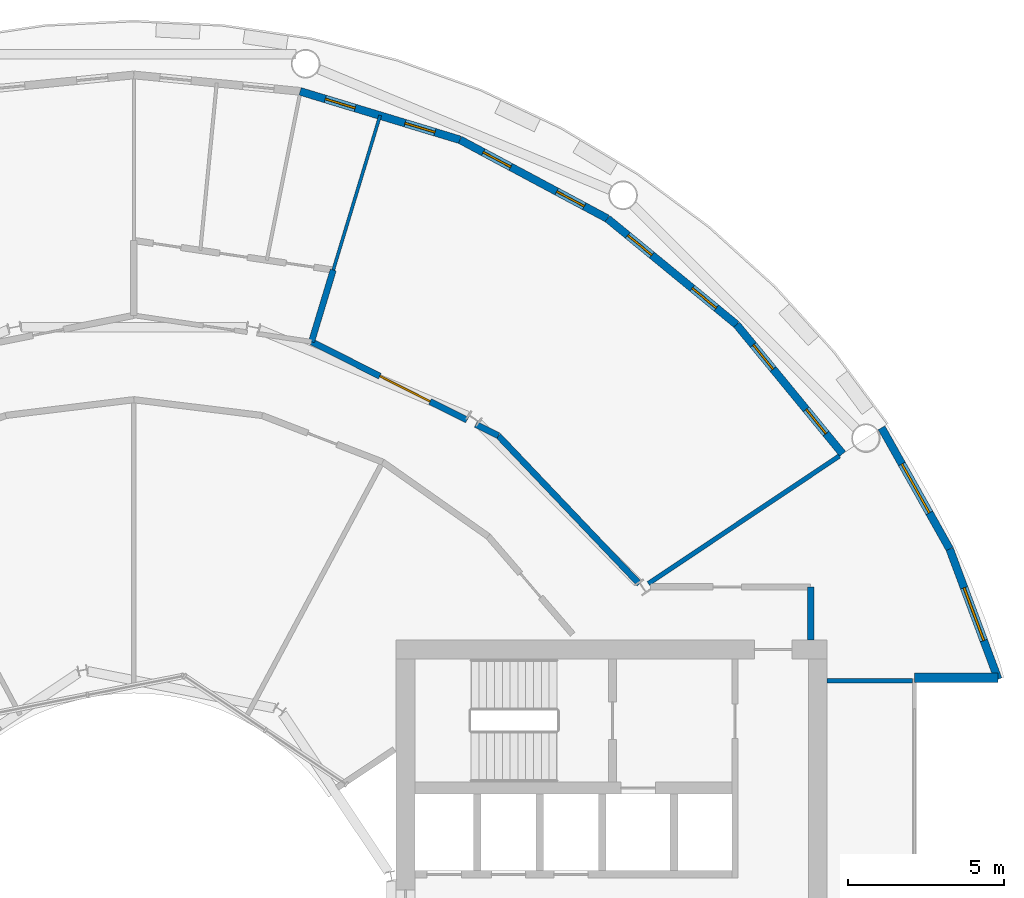
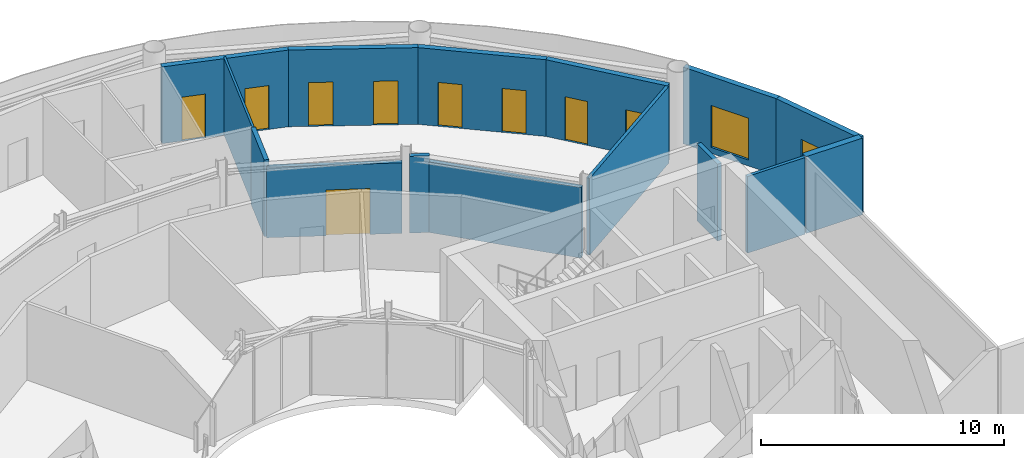
# One storey, part 18 of 21: 15 walls, 9 doors, 2 windows, 11 openings.
"""IFC4 building model written with IfcOpenShell, lengths in metres."""

import ifcopenshell
import ifcopenshell.guid

model = None  # the IFC model being written
_history = None  # IfcOwnerHistory: only IFC2X3 demands one
_inside = {}  # id of a spatial element -> (the spatial element, [elements in it])
_under = {}  # id of a project, library or spatial element -> (it, [spatial elements below it])
_declared = {}  # id of a project -> (the project, [libraries it declares])
_typed = {}  # id of a type object -> (the type object, [elements of that type])
_made_of = {}  # id of a material, layer set ... -> (it, [elements and type objects made of it])


def new_model(schema):
    """Start an empty IFC model of exactly this schema.

    Asked for "IFC4X3", IfcOpenShell would pick the latest addendum, in which some entities
    have other attributes; the version numbers below select the first issue.
    IFC2X3 requires an IfcOwnerHistory on every rooted entity: one is made here for all.
    """
    global model, _history
    if schema == "IFC4X3":
        model = ifcopenshell.file(schema_version=(4, 3, 0, 0))
    else:
        model = ifcopenshell.file(schema=schema)
    _inside.clear()
    _under.clear()
    _declared.clear()
    _typed.clear()
    _made_of.clear()
    _history = None
    if model.schema == "IFC2X3":
        org = make("IfcOrganization", Name="unknown")
        user = make(
            "IfcPersonAndOrganization",
            ThePerson=make("IfcPerson", FamilyName="unknown"),
            TheOrganization=org,
        )
        app = make(
            "IfcApplication",
            ApplicationDeveloper=org,
            Version="unknown",
            ApplicationFullName="unknown",
            ApplicationIdentifier="unknown",
        )
        _history = make(
            "IfcOwnerHistory",
            OwningUser=user,
            OwningApplication=app,
            ChangeAction="ADDED",
            CreationDate=0,
        )
    return model


def make(cls, **values):
    """One entity of the class cls with the attributes given. An attribute that is None is left unset."""
    return model.create_entity(
        cls, **{name: value for name, value in values.items() if value is not None}
    )


def rooted(cls, **values):
    """An entity with a GlobalId (a new one), such as an element, a storey or a relation."""
    return make(cls, GlobalId=ifcopenshell.guid.new(), OwnerHistory=_history, **values)


def si_unit(unit_type, name, prefix=None):
    """IfcSIUnit, for example si_unit("LENGTHUNIT", "METRE", prefix="MILLI")."""
    return make("IfcSIUnit", UnitType=unit_type, Prefix=prefix, Name=name)


def assignment(units):
    """IfcUnitAssignment: the units of a project."""
    return None if units is None else make("IfcUnitAssignment", Units=units)


def point(xyz):
    """IfcCartesianPoint."""
    return None if xyz is None else make("IfcCartesianPoint", Coordinates=xyz)


def direction(xyz):
    """IfcDirection."""
    return None if xyz is None else make("IfcDirection", DirectionRatios=xyz)


def frame(location, z_axis=None, x_axis=None):
    """IfcAxis2Placement3D, a coordinate frame: its origin and axes. An axis left out is left unset."""
    return make(
        "IfcAxis2Placement3D",
        Location=point(location),
        Axis=direction(z_axis),
        RefDirection=direction(x_axis),
    )


def frame_2d(location, x_axis=None):
    """IfcAxis2Placement2D, a coordinate frame in the plane: its origin and x axis."""
    return make(
        "IfcAxis2Placement2D", Location=point(location), RefDirection=direction(x_axis)
    )


def origin():
    """The frame at (0, 0, 0) with its axes left unset."""
    return frame((0.0, 0.0, 0.0))


def place(relative_to, where):
    """IfcLocalPlacement: puts the frame where relative to a parent placement (None: the world)."""
    return make(
        "IfcLocalPlacement", PlacementRelTo=relative_to, RelativePlacement=where
    )


def context(
    kind, dimensions, precision=None, world=None, true_north=None, identifier=None
):
    """IfcGeometricRepresentationContext, for example the 3D "Model" context."""
    return make(
        "IfcGeometricRepresentationContext",
        ContextIdentifier=identifier,
        ContextType=kind,
        CoordinateSpaceDimension=dimensions,
        Precision=precision,
        WorldCoordinateSystem=world,
        TrueNorth=true_north,
    )


def subcontext(parent, identifier, kind, view, scale=None):
    """IfcGeometricRepresentationSubContext, for example "Body" below "Model"."""
    return make(
        "IfcGeometricRepresentationSubContext",
        ContextIdentifier=identifier,
        ContextType=kind,
        ParentContext=parent,
        TargetScale=scale,
        TargetView=view,
    )


def project(units=None, contexts=None):
    """IfcProject with its units and contexts."""
    return rooted(
        "IfcProject",
        Name="project",
        RepresentationContexts=contexts,
        UnitsInContext=assignment(units),
    )


def spatial(cls, under=None, at=None, **own):
    """A site, building, storey or space (cls), placed at a placement, below another one or the project."""
    s = rooted(cls, ObjectPlacement=at, **own)
    if under is not None:
        _under.setdefault(under.id(), (under, []))[1].append(s)
    return s


def profile(cls, at=None, kind="AREA", **sizes):
    """A parametric profile (cls). Its sizes go by their IFC names, for example OverallWidth=200.0."""
    return make(cls, ProfileType=kind, Position=at, **sizes)


def rectangle(**sizes):
    """IfcRectangleProfileDef."""
    return profile("IfcRectangleProfileDef", **sizes)


def extrude(swept, where, along, depth):
    """IfcExtrudedAreaSolid: the profile swept, set in the frame where, extruded along a direction by depth."""
    return make(
        "IfcExtrudedAreaSolid",
        SweptArea=swept,
        Position=where,
        ExtrudedDirection=direction(along),
        Depth=depth,
    )


def shape(context_of_items, identifier, shape_type, items):
    """IfcShapeRepresentation: the items that make up one representation, for example the "Body"."""
    return make(
        "IfcShapeRepresentation",
        ContextOfItems=context_of_items,
        RepresentationIdentifier=identifier,
        RepresentationType=shape_type,
        Items=items,
    )


def material(Name=None, Category=None):
    """IfcMaterial."""
    return make("IfcMaterial", Name=Name, Category=Category)


def layer(
    of_material, thickness, ventilated=None, Name=None, Category=None, Priority=None
):
    """IfcMaterialLayer: one layer of a wall or slab, of a material (None: an air gap)."""
    return make(
        "IfcMaterialLayer",
        Material=of_material,
        LayerThickness=thickness,
        IsVentilated=ventilated,
        Name=Name,
        Category=Category,
        Priority=Priority,
    )


def layer_set(layers, Name=None):
    """IfcMaterialLayerSet."""
    return make("IfcMaterialLayerSet", MaterialLayers=layers, LayerSetName=Name)


def made_of(thing, what):
    """Note that an element or type object is made of a material, layer set ...; save() writes the relation."""
    if what is not None:
        _made_of.setdefault(what.id(), (what, []))[1].append(thing)
    return thing


def type_object(cls, material=None, **own):
    """A type object (cls), such as IfcWallType, which elements share."""
    return made_of(rooted(cls, **own), material)


def element(
    cls,
    number,
    at=None,
    inside=None,
    cuts=None,
    type_object=None,
    material=None,
    context=None,
    identifier="Body",
    shape_type=None,
    held_by="IfcProductDefinitionShape",
    body=None,
    shapes=None,
    **own,
):
    """One element of the class cls, such as IfcWall. Its Tag is "e" and its number.

    at: its placement. inside: the storey or other place that contains it. cuts: it is an
    opening in that element (IfcRelVoidsElement). A single representation is given by context,
    identifier, shape_type and body (its items); several are given by shapes. held_by: the class
    of the entity that holds the representations. save() writes the other relations.
    """
    e = rooted(cls, Tag="e%d" % number, ObjectPlacement=at, **own)
    if body is not None:
        shapes = [shape(context, identifier, shape_type, body)]
    if shapes is not None:
        e.Representation = make(held_by, Representations=shapes)
    if inside is not None:
        _inside.setdefault(inside.id(), (inside, []))[1].append(e)
    if cuts is not None:
        rooted(
            "IfcRelVoidsElement", RelatingBuildingElement=cuts, RelatedOpeningElement=e
        )
    if type_object is not None:
        _typed.setdefault(type_object.id(), (type_object, []))[1].append(e)
    return made_of(e, material)


def fill(opening, filler):
    """IfcRelFillsElement: the door or window that sits in an opening."""
    return rooted(
        "IfcRelFillsElement",
        RelatingOpeningElement=opening,
        RelatedBuildingElement=filler,
    )


def aggregate(whole, parts):
    """IfcRelAggregates: a whole, such as a stair, and the parts it consists of."""
    return rooted("IfcRelAggregates", RelatingObject=whole, RelatedObjects=parts)


def save(model, path):
    """Write the relations noted so far, then the file.

    IfcRelAggregates (storeys below a building ...), IfcRelContainedInSpatialStructure (elements
    in a storey), IfcRelDefinesByType, IfcRelAssociatesMaterial and IfcRelDeclares: one each for
    every whole, place, type object, material and project.
    """
    for whole, parts in _under.values():
        aggregate(whole, parts)
    for where, things in _inside.values():
        rooted(
            "IfcRelContainedInSpatialStructure",
            RelatedElements=things,
            RelatingStructure=where,
        )
    for kind, things in _typed.values():
        rooted("IfcRelDefinesByType", RelatedObjects=things, RelatingType=kind)
    for what, things in _made_of.values():
        rooted("IfcRelAssociatesMaterial", RelatedObjects=things, RelatingMaterial=what)
    for by, libraries in _declared.values():
        rooted("IfcRelDeclares", RelatingContext=by, RelatedDefinitions=libraries)
    model.write(path)


model = new_model("IFC4")

# Units and contexts
model_context = context("Model", 3, precision=1e-05, world=origin(), true_north=direction((0.0, 1.0)))
body_context = subcontext(model_context, "Body", "Model", "MODEL_VIEW")
ifc_project = project(units=[si_unit("LENGTHUNIT", "METRE"), si_unit("AREAUNIT", "SQUARE_METRE"), si_unit("VOLUMEUNIT", "CUBIC_METRE"), si_unit("PLANEANGLEUNIT", "RADIAN"), si_unit("MASSUNIT", "GRAM", prefix="KILO")], contexts=[model_context])

# Site, building, storey
site_placement = place(None, origin())
site = spatial("IfcSite", under=ifc_project, at=site_placement, CompositionType="ELEMENT")
building_placement = place(site_placement, origin())
building = spatial("IfcBuilding", under=site, at=building_placement, Name="Maasbend Ring Residences", CompositionType="ELEMENT")
storey_placement = place(building_placement, frame((0.0, 0.0, 107.449951171875)))
storey = spatial("IfcBuildingStorey", under=building, at=storey_placement, Name="L30", CompositionType="ELEMENT", Elevation=107.449951171875)

# Walls
ifc_material_1 = material(Name="Concrete C30/37", Category="concrete")
ifc_layer_1 = layer(ifc_material_1, 0.199951171875)
ifc_layer_set_1 = layer_set([ifc_layer_1], Name="Concrete C30/37")
wall_type_1 = type_object("IfcWallType", Name="CORRIDOR WALL 200 CONCRETE", PredefinedType="PARTITIONING", material=ifc_layer_set_1)
wall_1_placement = place(storey_placement, frame((21.675048828125, 9.199951171875, 0.0), z_axis=(0.0, 0.0, 1.0), x_axis=(0.0, 1.0, 0.0)))
element("IfcWall", 1, at=wall_1_placement, inside=storey, type_object=wall_type_1, Name="U-L30-w003", PredefinedType="PARTITIONING", context=body_context, shape_type="SweptSolid", body=[
    extrude(rectangle(XDim=1.699951171875, YDim=0.199951171875, at=frame_2d((0.85009765625, 0.0))), origin(), (0.0, 0.0, 1.0), 3.85009765625),
])
wall_2_placement = place(storey_placement, frame((5.68994140625, 18.756103515625, 0.0), z_axis=(0.0, 0.0, 1.0), x_axis=(0.290015865164, 0.957021837762, 0.0)))
element("IfcWall", 2, at=wall_2_placement, inside=storey, type_object=wall_type_1, Name="U-L30-w041", PredefinedType="PARTITIONING", context=body_context, shape_type="SweptSolid", body=[
    extrude(rectangle(XDim=2.39990234375, YDim=0.199951171875, at=frame_2d((1.199951171875, 0.0))), origin(), (0.0, 0.0, 1.0), 3.85009765625),
])

# Wall, opening, door
wall_3_placement = place(storey_placement, frame((5.68994140625, 18.756103515625, 0.0), z_axis=(0.0, 0.0, 1.0), x_axis=(0.893207084241, -0.449645532239, 0.0)))
wall_3 = element("IfcWall", 3, at=wall_3_placement, inside=storey, type_object=wall_type_1, Name="U-L30-w059", PredefinedType="PARTITIONING", context=body_context, shape_type="SweptSolid", body=[
    extrude(rectangle(XDim=5.577880859375, YDim=0.199951171875, at=frame_2d((2.7890625, 0.0))), origin(), (0.0, 0.0, 1.0), 3.5400390625),
])
opening_1_placement = place(wall_3_placement, frame((2.450927734375, 0.0, 0.0)))
opening_1 = element("IfcOpeningElement", 4, at=opening_1_placement, cuts=wall_3, Name="Opening D-3009", PredefinedType="OPENING", context=body_context, shape_type="SweptSolid", body=[
    extrude(rectangle(XDim=1.800048828125, YDim=2.300048828125, at=frame_2d((0.89990234375, 1.14990234375))), frame((0.0, 0.10986328125, 0.0), z_axis=(0.0, -1.0, 0.0), x_axis=(1.0, 0.0, 0.0)), (0.0, 0.0, 1.0), 0.219970703125),
])
ifc_material_2 = material(Name="Timber, painted", Category="wood")
door_type_1 = type_object("IfcDoorType", Name="DOUBLE DOOR 1800 X 2300", OperationType="NOTDEFINED", PredefinedType="DOOR", material=ifc_material_2)
door_1_placement = place(opening_1_placement, origin())
door_1 = element("IfcDoor", 5, at=door_1_placement, inside=storey, type_object=door_type_1, Name="D-3009", OperationType="DOUBLE_DOOR_SINGLE_SWING", OverallHeight=2.300048828125, OverallWidth=1.800048828125, PredefinedType="DOOR", context=body_context, shape_type="SweptSolid", body=[
    extrude(rectangle(XDim=1.800048828125, YDim=2.300048828125, at=frame_2d((0.89990234375, 1.14990234375))), frame((0.0, 0.02490234375, 0.0), z_axis=(0.0, -1.0, 0.0), x_axis=(1.0, 0.0, 0.0)), (0.0, 0.0, 1.0), 0.050048828125),
])
fill(opening_1, door_1)

# Walls
wall_4_placement = place(storey_placement, frame((10.947998046875, 16.10888671875, 0.0), z_axis=(0.0, 0.0, 1.0), x_axis=(0.893466351981, -0.449130134681, 0.0)))
element("IfcWall", 6, at=wall_4_placement, inside=storey, type_object=wall_type_1, Name="U-L30-w060", PredefinedType="PARTITIONING", context=body_context, shape_type="SweptSolid", body=[
    extrude(rectangle(XDim=0.81494140625, YDim=0.199951171875, at=frame_2d((0.407470703125, 0.0))), origin(), (0.0, 0.0, 1.0), 3.85009765625),
])
wall_5_placement = place(storey_placement, frame((11.676025390625, 15.742919921875, 0.0), z_axis=(0.0, 0.0, 1.0), x_axis=(0.689473533908, -0.724310876655, 0.0)))
element("IfcWall", 7, at=wall_5_placement, inside=storey, type_object=wall_type_1, Name="U-L30-w061", PredefinedType="PARTITIONING", context=body_context, shape_type="SweptSolid", body=[
    extrude(rectangle(XDim=6.54541015625, YDim=0.199951171875, at=frame_2d((3.272705078125, 0.0))), origin(), (0.0, 0.0, 1.0), 3.5400390625),
])

# Wall, openings, doors
ifc_material_3 = material(Name="Aluminium clad insulated panel", Category="aluminium")
ifc_layer_2 = layer(ifc_material_3, 0.25)
ifc_layer_set_2 = layer_set([ifc_layer_2], Name="EW-GL")
wall_type_2 = type_object("IfcWallType", Name="EW-GL", PredefinedType="SOLIDWALL", material=ifc_layer_set_2)
wall_6_placement = place(storey_placement, frame((22.698974609375, 15.1669921875, 0.0), z_axis=(0.0, 0.0, 1.0), x_axis=(-0.634382322723, 0.773019449054, 0.0)))
wall_6 = element("IfcWall", 8, at=wall_6_placement, inside=storey, type_object=wall_type_2, Name="External wall N01", PredefinedType="SOLIDWALL", context=body_context, shape_type="SweptSolid", body=[
    extrude(rectangle(XDim=5.351806640625, YDim=0.25, at=frame_2d((2.67578125, 0.0))), origin(), (0.0, 0.0, 1.0), 3.85009765625),
])
opening_2_placement = place(wall_6_placement, frame((0.841064453125, 0.0, 0.0)))
opening_2 = element("IfcOpeningElement", 9, at=opening_2_placement, cuts=wall_6, Name="Opening D-LG", PredefinedType="OPENING", context=body_context, shape_type="SweptSolid", body=[
    extrude(rectangle(XDim=1.0, YDim=2.199951171875, at=frame_2d((0.5, 1.10009765625))), frame((0.0, 0.135009765625, 0.0), z_axis=(0.0, -1.0, 0.0), x_axis=(1.0, 0.0, 0.0)), (0.0, 0.0, 1.0), 0.27001953125),
])
opening_3_placement = place(wall_6_placement, frame((3.510498046875, 0.0, 0.0)))
opening_3 = element("IfcOpeningElement", 10, at=opening_3_placement, cuts=wall_6, Name="Opening D-LG", PredefinedType="OPENING", context=body_context, shape_type="SweptSolid", body=[
    extrude(rectangle(XDim=1.0, YDim=2.199951171875, at=frame_2d((0.5, 1.10009765625))), frame((0.0, 0.135009765625, 0.0), z_axis=(0.0, -1.0, 0.0), x_axis=(1.0, 0.0, 0.0)), (0.0, 0.0, 1.0), 0.27001953125),
])
ifc_material_4 = material(Name="Aluminium and clear glass", Category="aluminium")
door_type_2 = type_object("IfcDoorType", Name="D-LG", OperationType="SINGLE_SWING_LEFT", PredefinedType="DOOR", material=ifc_material_4)
door_2_placement = place(opening_2_placement, origin())
door_2 = element("IfcDoor", 11, at=door_2_placement, inside=storey, type_object=door_type_2, Name="Loggia door N01", OperationType="SINGLE_SWING_LEFT", OverallHeight=2.199951171875, OverallWidth=1.0, PredefinedType="DOOR", context=body_context, shape_type="SweptSolid", body=[
    extrude(rectangle(XDim=1.0, YDim=2.199951171875, at=frame_2d((0.5, 1.10009765625))), frame((0.0, 0.02490234375, 0.0), z_axis=(0.0, -1.0, 0.0), x_axis=(1.0, 0.0, 0.0)), (0.0, 0.0, 1.0), 0.050048828125),
])
fill(opening_2, door_2)
door_3_placement = place(opening_3_placement, origin())
door_3 = element("IfcDoor", 12, at=door_3_placement, inside=storey, type_object=door_type_2, Name="Loggia door N02", OperationType="SINGLE_SWING_LEFT", OverallHeight=2.199951171875, OverallWidth=1.0, PredefinedType="DOOR", context=body_context, shape_type="SweptSolid", body=[
    extrude(rectangle(XDim=1.0, YDim=2.199951171875, at=frame_2d((0.5, 1.10009765625))), frame((0.0, 0.02490234375, 0.0), z_axis=(0.0, -1.0, 0.0), x_axis=(1.0, 0.0, 0.0)), (0.0, 0.0, 1.0), 0.050048828125),
])
fill(opening_3, door_3)

wall_7_placement = place(storey_placement, frame((19.303955078125, 19.303955078125, 0.0), z_axis=(0.0, 0.0, 1.0), x_axis=(-0.773019449054, 0.634382322723, 0.0)))
wall_7 = element("IfcWall", 13, at=wall_7_placement, inside=storey, type_object=wall_type_2, Name="External wall N02", PredefinedType="SOLIDWALL", context=body_context, shape_type="SweptSolid", body=[
    extrude(rectangle(XDim=5.351806640625, YDim=0.25, at=frame_2d((2.67578125, 0.0))), origin(), (0.0, 0.0, 1.0), 3.85009765625),
])
opening_4_placement = place(wall_7_placement, frame((0.841064453125, 0.0, 0.0)))
opening_4 = element("IfcOpeningElement", 14, at=opening_4_placement, cuts=wall_7, Name="Opening D-LG", PredefinedType="OPENING", context=body_context, shape_type="SweptSolid", body=[
    extrude(rectangle(XDim=1.0, YDim=2.199951171875, at=frame_2d((0.5, 1.10009765625))), frame((0.0, 0.135009765625, 0.0), z_axis=(0.0, -1.0, 0.0), x_axis=(1.0, 0.0, 0.0)), (0.0, 0.0, 1.0), 0.27001953125),
])
opening_5_placement = place(wall_7_placement, frame((3.510498046875, 0.0, 0.0)))
opening_5 = element("IfcOpeningElement", 15, at=opening_5_placement, cuts=wall_7, Name="Opening D-LG", PredefinedType="OPENING", context=body_context, shape_type="SweptSolid", body=[
    extrude(rectangle(XDim=1.0, YDim=2.199951171875, at=frame_2d((0.5, 1.10009765625))), frame((0.0, 0.135009765625, 0.0), z_axis=(0.0, -1.0, 0.0), x_axis=(1.0, 0.0, 0.0)), (0.0, 0.0, 1.0), 0.27001953125),
])
door_4_placement = place(opening_4_placement, origin())
door_4 = element("IfcDoor", 16, at=door_4_placement, inside=storey, type_object=door_type_2, Name="Loggia door N03", OperationType="SINGLE_SWING_LEFT", OverallHeight=2.199951171875, OverallWidth=1.0, PredefinedType="DOOR", context=body_context, shape_type="SweptSolid", body=[
    extrude(rectangle(XDim=1.0, YDim=2.199951171875, at=frame_2d((0.5, 1.10009765625))), frame((0.0, 0.02490234375, 0.0), z_axis=(0.0, -1.0, 0.0), x_axis=(1.0, 0.0, 0.0)), (0.0, 0.0, 1.0), 0.050048828125),
])
fill(opening_4, door_4)
door_5_placement = place(opening_5_placement, origin())
door_5 = element("IfcDoor", 17, at=door_5_placement, inside=storey, type_object=door_type_2, Name="Loggia door N04", OperationType="SINGLE_SWING_LEFT", OverallHeight=2.199951171875, OverallWidth=1.0, PredefinedType="DOOR", context=body_context, shape_type="SweptSolid", body=[
    extrude(rectangle(XDim=1.0, YDim=2.199951171875, at=frame_2d((0.5, 1.10009765625))), frame((0.0, 0.02490234375, 0.0), z_axis=(0.0, -1.0, 0.0), x_axis=(1.0, 0.0, 0.0)), (0.0, 0.0, 1.0), 0.050048828125),
])
fill(opening_5, door_5)

wall_8_placement = place(storey_placement, frame((15.1669921875, 22.698974609375, 0.0), z_axis=(0.0, 0.0, 1.0), x_axis=(-0.881915646801, 0.471407246368, 0.0)))
wall_8 = element("IfcWall", 18, at=wall_8_placement, inside=storey, type_object=wall_type_2, Name="External wall N03", PredefinedType="SOLIDWALL", context=body_context, shape_type="SweptSolid", body=[
    extrude(rectangle(XDim=5.35205078125, YDim=0.25, at=frame_2d((2.676025390625, 0.0))), origin(), (0.0, 0.0, 1.0), 3.85009765625),
])
opening_6_placement = place(wall_8_placement, frame((0.841064453125, 0.0, 0.0)))
opening_6 = element("IfcOpeningElement", 19, at=opening_6_placement, cuts=wall_8, Name="Opening D-LG", PredefinedType="OPENING", context=body_context, shape_type="SweptSolid", body=[
    extrude(rectangle(XDim=1.0, YDim=2.199951171875, at=frame_2d((0.5, 1.10009765625))), frame((0.0, 0.135009765625, 0.0), z_axis=(0.0, -1.0, 0.0), x_axis=(1.0, 0.0, 0.0)), (0.0, 0.0, 1.0), 0.27001953125),
])
opening_7_placement = place(wall_8_placement, frame((3.510498046875, 0.0, 0.0)))
opening_7 = element("IfcOpeningElement", 20, at=opening_7_placement, cuts=wall_8, Name="Opening D-LG", PredefinedType="OPENING", context=body_context, shape_type="SweptSolid", body=[
    extrude(rectangle(XDim=1.0, YDim=2.199951171875, at=frame_2d((0.5, 1.10009765625))), frame((0.0, 0.135009765625, 0.0), z_axis=(0.0, -1.0, 0.0), x_axis=(1.0, 0.0, 0.0)), (0.0, 0.0, 1.0), 0.27001953125),
])
door_6_placement = place(opening_6_placement, origin())
door_6 = element("IfcDoor", 21, at=door_6_placement, inside=storey, type_object=door_type_2, Name="Loggia door N05", OperationType="SINGLE_SWING_LEFT", OverallHeight=2.199951171875, OverallWidth=1.0, PredefinedType="DOOR", context=body_context, shape_type="SweptSolid", body=[
    extrude(rectangle(XDim=1.0, YDim=2.199951171875, at=frame_2d((0.5, 1.10009765625))), frame((0.0, 0.02490234375, 0.0), z_axis=(0.0, -1.0, 0.0), x_axis=(1.0, 0.0, 0.0)), (0.0, 0.0, 1.0), 0.050048828125),
])
fill(opening_6, door_6)
door_7_placement = place(opening_7_placement, origin())
door_7 = element("IfcDoor", 22, at=door_7_placement, inside=storey, type_object=door_type_2, Name="Loggia door N06", OperationType="SINGLE_SWING_LEFT", OverallHeight=2.199951171875, OverallWidth=1.0, PredefinedType="DOOR", context=body_context, shape_type="SweptSolid", body=[
    extrude(rectangle(XDim=1.0, YDim=2.199951171875, at=frame_2d((0.5, 1.10009765625))), frame((0.0, 0.02490234375, 0.0), z_axis=(0.0, -1.0, 0.0), x_axis=(1.0, 0.0, 0.0)), (0.0, 0.0, 1.0), 0.050048828125),
])
fill(opening_7, door_7)

wall_9_placement = place(storey_placement, frame((10.447021484375, 25.221923828125, 0.0), z_axis=(0.0, 0.0, 1.0), x_axis=(-0.956965678721, 0.290201119486, 0.0)))
wall_9 = element("IfcWall", 23, at=wall_9_placement, inside=storey, type_object=wall_type_2, Name="External wall N04", PredefinedType="SOLIDWALL", context=body_context, shape_type="SweptSolid", body=[
    extrude(rectangle(XDim=5.351318359375, YDim=0.25, at=frame_2d((2.67578125, 0.0))), origin(), (0.0, 0.0, 1.0), 3.85009765625),
])
opening_8_placement = place(wall_9_placement, frame((0.841064453125, 0.0, 0.0)))
opening_8 = element("IfcOpeningElement", 24, at=opening_8_placement, cuts=wall_9, Name="Opening D-LG", PredefinedType="OPENING", context=body_context, shape_type="SweptSolid", body=[
    extrude(rectangle(XDim=1.0, YDim=2.199951171875, at=frame_2d((0.5, 1.10009765625))), frame((0.0, 0.135009765625, 0.0), z_axis=(0.0, -1.0, 0.0), x_axis=(1.0, 0.0, 0.0)), (0.0, 0.0, 1.0), 0.27001953125),
])
opening_9_placement = place(wall_9_placement, frame((3.510498046875, 0.0, 0.0)))
opening_9 = element("IfcOpeningElement", 25, at=opening_9_placement, cuts=wall_9, Name="Opening D-LG", PredefinedType="OPENING", context=body_context, shape_type="SweptSolid", body=[
    extrude(rectangle(XDim=1.0, YDim=2.199951171875, at=frame_2d((0.5, 1.10009765625))), frame((0.0, 0.135009765625, 0.0), z_axis=(0.0, -1.0, 0.0), x_axis=(1.0, 0.0, 0.0)), (0.0, 0.0, 1.0), 0.27001953125),
])
door_8_placement = place(opening_8_placement, origin())
door_8 = element("IfcDoor", 26, at=door_8_placement, inside=storey, type_object=door_type_2, Name="Loggia door N07", OperationType="SINGLE_SWING_LEFT", OverallHeight=2.199951171875, OverallWidth=1.0, PredefinedType="DOOR", context=body_context, shape_type="SweptSolid", body=[
    extrude(rectangle(XDim=1.0, YDim=2.199951171875, at=frame_2d((0.5, 1.10009765625))), frame((0.0, 0.02490234375, 0.0), z_axis=(0.0, -1.0, 0.0), x_axis=(1.0, 0.0, 0.0)), (0.0, 0.0, 1.0), 0.050048828125),
])
fill(opening_8, door_8)
door_9_placement = place(opening_9_placement, origin())
door_9 = element("IfcDoor", 27, at=door_9_placement, inside=storey, type_object=door_type_2, Name="Loggia door N08", OperationType="SINGLE_SWING_LEFT", OverallHeight=2.199951171875, OverallWidth=1.0, PredefinedType="DOOR", context=body_context, shape_type="SweptSolid", body=[
    extrude(rectangle(XDim=1.0, YDim=2.199951171875, at=frame_2d((0.5, 1.10009765625))), frame((0.0, 0.02490234375, 0.0), z_axis=(0.0, -1.0, 0.0), x_axis=(1.0, 0.0, 0.0)), (0.0, 0.0, 1.0), 0.050048828125),
])
fill(opening_9, door_9)

# Wall, opening, window
ifc_material_5 = material(Name="Aluminium clad insulated panel", Category="aluminium")
ifc_layer_3 = layer(ifc_material_5, 0.25)
ifc_layer_set_3 = layer_set([ifc_layer_3], Name="EW-HORN")
wall_type_3 = type_object("IfcWallType", Name="EW-HORN", PredefinedType="SOLIDWALL", material=ifc_layer_set_3)
wall_10_placement = place(storey_placement, frame((27.681884765625, 7.945068359375, 0.0), z_axis=(0.0, 0.0, 1.0), x_axis=(-0.349247811493, 0.937030397675, 0.0)))
wall_10 = element("IfcWall", 28, at=wall_10_placement, inside=storey, type_object=wall_type_3, Name="Horn wall 1.1", PredefinedType="SOLIDWALL", context=body_context, shape_type="SweptSolid", body=[
    extrude(rectangle(XDim=4.4521484375, YDim=0.25, at=frame_2d((2.22607421875, 0.0))), origin(), (0.0, 0.0, 1.0), 3.85009765625),
])
opening_10_placement = place(wall_10_placement, frame((1.32666015625, 0.0, 0.300048828125)))
opening_10 = element("IfcOpeningElement", 29, at=opening_10_placement, cuts=wall_10, Name="Opening W-BX", PredefinedType="OPENING", context=body_context, shape_type="SweptSolid", body=[
    extrude(rectangle(XDim=1.800048828125, YDim=2.10009765625, at=frame_2d((0.89990234375, 1.050048828125))), frame((0.0, 0.135009765625, 0.0), z_axis=(0.0, -1.0, 0.0), x_axis=(1.0, 0.0, 0.0)), (0.0, 0.0, 1.0), 0.27001953125),
])
ifc_material_6 = material(Name="Aluminium and clear glass", Category="aluminium")
window_type = type_object("IfcWindowType", Name="W-BX", PartitioningType="DOUBLE_PANEL_VERTICAL", PredefinedType="WINDOW", material=ifc_material_6)
window_1_placement = place(opening_10_placement, origin())
window_1 = element("IfcWindow", 30, at=window_1_placement, inside=storey, type_object=window_type, Name="Horn window 1.1", OverallHeight=2.10009765625, OverallWidth=1.800048828125, PartitioningType="SINGLE_PANEL", PredefinedType="WINDOW", context=body_context, shape_type="SweptSolid", body=[
    extrude(rectangle(XDim=1.800048828125, YDim=2.10009765625, at=frame_2d((0.89990234375, 1.050048828125))), frame((0.0, 0.030029296875, 0.0), z_axis=(0.0, -1.0, 0.0), x_axis=(1.0, 0.0, 0.0)), (0.0, 0.0, 1.0), 0.06005859375),
])
fill(opening_10, window_1)

wall_11_placement = place(storey_placement, frame((26.126953125, 12.116943359375, 0.0), z_axis=(0.0, 0.0, 1.0), x_axis=(-0.489696356642, 0.871893042919, 0.0)))
wall_11 = element("IfcWall", 31, at=wall_11_placement, inside=storey, type_object=wall_type_3, Name="Horn wall 1.2", PredefinedType="SOLIDWALL", context=body_context, shape_type="SweptSolid", body=[
    extrude(rectangle(XDim=4.45361328125, YDim=0.25, at=frame_2d((2.226806640625, 0.0))), origin(), (0.0, 0.0, 1.0), 3.85009765625),
])
opening_11_placement = place(wall_11_placement, frame((1.32666015625, 0.0, 0.300048828125)))
opening_11 = element("IfcOpeningElement", 32, at=opening_11_placement, cuts=wall_11, Name="Opening W-BX", PredefinedType="OPENING", context=body_context, shape_type="SweptSolid", body=[
    extrude(rectangle(XDim=1.800048828125, YDim=2.10009765625, at=frame_2d((0.89990234375, 1.050048828125))), frame((0.0, 0.135009765625, 0.0), z_axis=(0.0, -1.0, 0.0), x_axis=(1.0, 0.0, 0.0)), (0.0, 0.0, 1.0), 0.27001953125),
])
window_2_placement = place(opening_11_placement, origin())
window_2 = element("IfcWindow", 33, at=window_2_placement, inside=storey, type_object=window_type, Name="Horn window 1.2", OverallHeight=2.10009765625, OverallWidth=1.800048828125, PartitioningType="SINGLE_PANEL", PredefinedType="WINDOW", context=body_context, shape_type="SweptSolid", body=[
    extrude(rectangle(XDim=1.800048828125, YDim=2.10009765625, at=frame_2d((0.89990234375, 1.050048828125))), frame((0.0, 0.030029296875, 0.0), z_axis=(0.0, -1.0, 0.0), x_axis=(1.0, 0.0, 0.0)), (0.0, 0.0, 1.0), 0.06005859375),
])
fill(opening_11, window_2)

# Walls
ifc_material_7 = material(Name="Aluminium clad insulated panel", Category="aluminium")
ifc_layer_4 = layer(ifc_material_7, 0.300048828125)
ifc_layer_set_4 = layer_set([ifc_layer_4], Name="EW-RET")
wall_type_4 = type_object("IfcWallType", Name="EW-RET", PredefinedType="SOLIDWALL", material=ifc_layer_set_4)
wall_12_placement = place(storey_placement, frame((25.0, 8.0, 0.0), z_axis=(0.0, 0.0, 1.0), x_axis=(1.0, 0.0, 0.0)))
element("IfcWall", 34, at=wall_12_placement, inside=storey, type_object=wall_type_4, Name="Notch return wall east north", PredefinedType="SOLIDWALL", context=body_context, shape_type="SweptSolid", body=[
    extrude(rectangle(XDim=2.6669921875, YDim=0.300048828125, at=frame_2d((1.33349609375, 0.0))), origin(), (0.0, 0.0, 1.0), 3.85009765625),
])
ifc_material_8 = material(Name="Gypsum board on steel studs", Category="steel")
ifc_layer_5 = layer(ifc_material_8, 0.10009765625)
ifc_layer_set_5 = layer_set([ifc_layer_5], Name="PARTITION 100 GYPSUM")
wall_type_5 = type_object("IfcWallType", Name="PARTITION 100 GYPSUM", PredefinedType="PARTITIONING", material=ifc_layer_set_5)
wall_13_placement = place(storey_placement, frame((6.385986328125, 21.052978515625, 0.0), z_axis=(0.0, 0.0, 1.0), x_axis=(0.29025094386, 0.956950567996, 0.0)))
element("IfcWall", 35, at=wall_13_placement, inside=storey, type_object=wall_type_5, Name="U-L30-w042", PredefinedType="PARTITIONING", context=body_context, shape_type="SweptSolid", body=[
    extrude(rectangle(XDim=5.174560546875, YDim=0.10009765625, at=frame_2d((2.58740234375, 0.0))), origin(), (0.0, 0.0, 1.0), 3.85009765625),
])
ifc_material_9 = material(Name="Gypsum board on steel studs", Category="steel")
ifc_layer_6 = layer(ifc_material_9, 0.14990234375)
ifc_layer_set_6 = layer_set([ifc_layer_6], Name="PARTITION 150 EI 60")
wall_type_6 = type_object("IfcWallType", Name="PARTITION 150 EI 60", PredefinedType="PARTITIONING", material=ifc_layer_set_6)
wall_14_placement = place(storey_placement, frame((22.199951171875, 7.89990234375, 0.0), z_axis=(0.0, 0.0, 1.0), x_axis=(1.0, 0.0, 0.0)))
element("IfcWall", 36, at=wall_14_placement, inside=storey, type_object=wall_type_6, Name="L30 core E wall CITN", PredefinedType="PARTITIONING", context=body_context, shape_type="SweptSolid", body=[
    extrude(rectangle(XDim=2.739990234375, YDim=0.14990234375, at=frame_2d((1.3701171875, 0.0))), origin(), (0.0, 0.0, 1.0), 3.85009765625),
])
ifc_material_10 = material(Name="Gypsum board on steel studs", Category="steel")
ifc_layer_7 = layer(ifc_material_10, 0.14990234375)
ifc_layer_set_7 = layer_set([ifc_layer_7], Name="PARTITION 150 GYPSUM")
wall_type_7 = type_object("IfcWallType", Name="PARTITION 150 GYPSUM", PredefinedType="PARTITIONING", material=ifc_layer_set_7)
wall_15_placement = place(storey_placement, frame((16.47705078125, 11.009033203125, 0.0), z_axis=(0.0, 0.0, 1.0), x_axis=(0.831406593008, 0.555664536482, 0.0)))
element("IfcWall", 37, at=wall_15_placement, inside=storey, type_object=wall_type_7, Name="U-L30-w045", PredefinedType="PARTITIONING", context=body_context, shape_type="SweptSolid", body=[
    extrude(rectangle(XDim=7.3583984375, YDim=0.14990234375, at=frame_2d((3.67919921875, 0.0))), origin(), (0.0, 0.0, 1.0), 3.85009765625),
])

save(model, "model.ifc")
